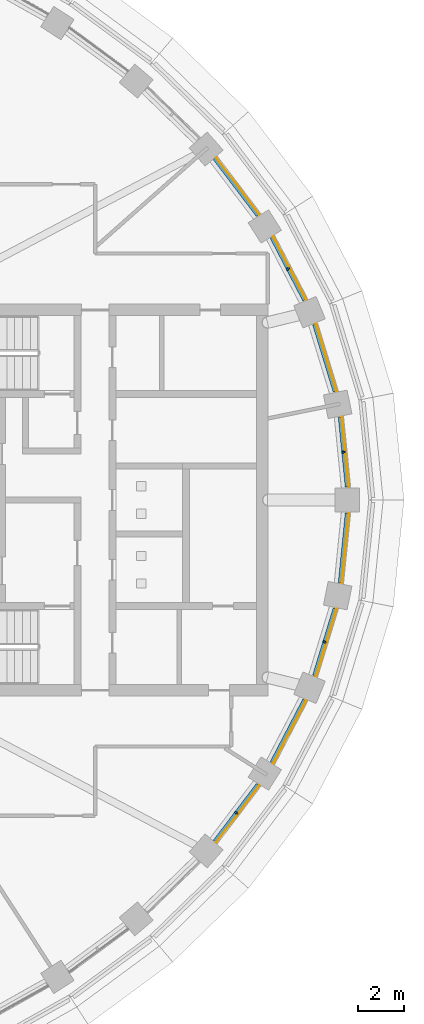
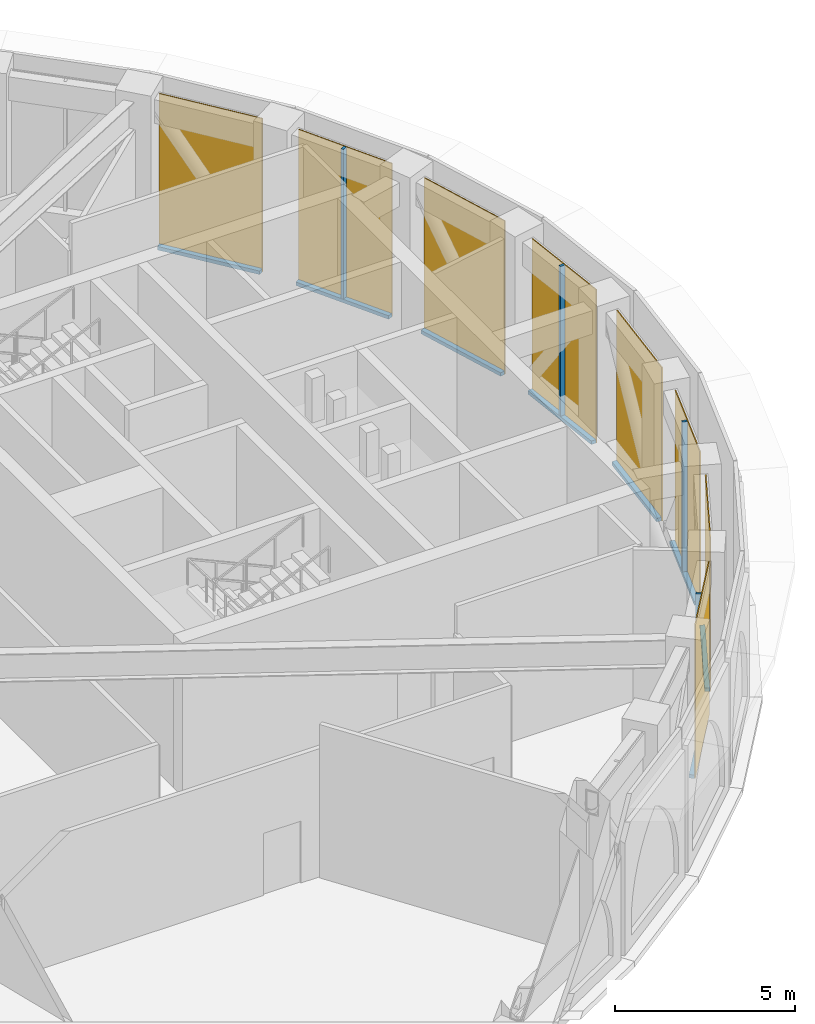
# One storey, part 17 of 23: 12 members, 8 curtain walls.
"""IFC4 building model written with IfcOpenShell, lengths in metres."""

from ifc_helpers import new_model, si_unit, direction, frame, origin, origin_2d, place, context, subcontext, project, spatial, polyline, rectangle, outline, extrude, material, layer, layer_set, material_profile, profile_set, type_object, element, aggregate, save


model = new_model("IFC4")

# Units and contexts
model_context = context("Model", 3, precision=1e-05, world=origin(), true_north=direction((0.0, 1.0)))
body_context = subcontext(model_context, "Body", "Model", "MODEL_VIEW")
ifc_project = project(units=[si_unit("LENGTHUNIT", "METRE"), si_unit("AREAUNIT", "SQUARE_METRE"), si_unit("VOLUMEUNIT", "CUBIC_METRE"), si_unit("PLANEANGLEUNIT", "RADIAN"), si_unit("MASSUNIT", "GRAM", prefix="KILO")], contexts=[model_context])

# Member
ifc_material_1 = material(Name="Aluminium 6063-T6 black anodised", Category="aluminium")
ifc_material_profile = material_profile(ifc_material_1, rectangle(XDim=0.14990234375, YDim=0.080078125, at=origin_2d()), Name="150x80")
ifc_profile_set = profile_set([ifc_material_profile], Name="Aluminium 6063-T6 black anodised")
member_type_1 = type_object("IfcMemberType", Name="ENV-MULLION-B-150", PredefinedType="MULLION", material=ifc_profile_set)
site_placement = place(None, origin())
building_placement = place(site_placement, origin())
storey_placement = place(building_placement, frame((0.0, 0.0, 285.5)))
member_1_placement = place(storey_placement, frame((32.37353515625, 10.029541015625, 0.1201171875), z_axis=(0.0, 0.0, 1.0), x_axis=(-0.88673501754, -0.462278064231, 0.0)))
member_1 = element("IfcMember", 1, at=member_1_placement, type_object=member_type_1, Name="Mullion B chord 03", PredefinedType="MULLION", context=body_context, shape_type="SweptSolid", body=[
    extrude(rectangle(XDim=0.14990234375, YDim=0.080078125, at=origin_2d()), origin(), (0.0, 0.0, 1.0), 5.079833984375),
])

member_2_placement = place(storey_placement, frame((30.12646484375, -13.576171875, 0.1201171875), z_axis=(0.0, 0.0, 1.0), x_axis=(-0.796969018776, 0.604020184358, 0.0)))
member_2 = element("IfcMember", 2, at=member_2_placement, type_object=member_type_1, Name="Mullion B chord 43", PredefinedType="MULLION", context=body_context, shape_type="SweptSolid", body=[
    extrude(rectangle(XDim=0.14990234375, YDim=0.080078125, at=origin_2d()), origin(), (0.0, 0.0, 1.0), 5.079833984375),
])

member_3_placement = place(storey_placement, frame((33.957275390625, -6.162109375, 0.1201171875), z_axis=(0.0, 0.0, 1.0), x_axis=(-0.95636637957, 0.292170066961, 0.0)))
member_3 = element("IfcMember", 3, at=member_3_placement, type_object=member_type_1, Name="Mullion B chord 45", PredefinedType="MULLION", context=body_context, shape_type="SweptSolid", body=[
    extrude(rectangle(XDim=0.14990234375, YDim=0.080078125, at=origin_2d()), origin(), (0.0, 0.0, 1.0), 5.079833984375),
])

member_4_placement = place(storey_placement, frame((34.778564453125, 2.07958984375, 0.1201171875), z_axis=(0.0, 0.0, 1.0), x_axis=(-0.994969504864, -0.100178263068, 0.0)))
member_4 = element("IfcMember", 4, at=member_4_placement, type_object=member_type_1, Name="Mullion B chord 01", PredefinedType="MULLION", context=body_context, shape_type="SweptSolid", body=[
    extrude(rectangle(XDim=0.14990234375, YDim=0.080078125, at=origin_2d()), origin(), (0.0, 0.0, 1.0), 5.079833984375),
])

ifc_material_2 = material(Name="Aluminium 6063-T6 black anodised", Category="aluminium")
member_type_2 = type_object("IfcMemberType", Name="ENV-TRANSOM-B", PredefinedType="USERDEFINED", material=ifc_material_2)
member_5_placement = place(storey_placement, origin())
member_5 = element("IfcMember", 5, at=member_5_placement, type_object=member_type_2, Name="Transom B radial 02-03", ObjectType="TRANSOM", PredefinedType="USERDEFINED", context=body_context, shape_type="SweptSolid", body=[
    extrude(outline(polyline([(34.475341796875, 4.722900390625), (33.581787109375, 7.648193359375), (33.4423828125, 7.591064453125), (34.32763671875, 4.693115234375), (34.475341796875, 4.722900390625)])), origin(), (0.0, 0.0, 1.0), 0.1201171875),
])

member_6_placement = place(storey_placement, origin())
member_6 = element("IfcMember", 6, at=member_6_placement, type_object=member_type_2, Name="Transom B radial 03-04", ObjectType="TRANSOM", PredefinedType="USERDEFINED", context=body_context, shape_type="SweptSolid", body=[
    extrude(outline(polyline([(33.15087890625, 8.700439453125), (31.727294921875, 11.431396484375), (31.60009765625, 11.350830078125), (33.011474609375, 8.643310546875), (33.15087890625, 8.700439453125)])), origin(), (0.0, 0.0, 1.0), 0.1201171875),
])

member_7_placement = place(storey_placement, origin())
member_7 = element("IfcMember", 7, at=member_7_placement, type_object=member_type_2, Name="Transom B radial 04-05", ObjectType="TRANSOM", PredefinedType="USERDEFINED", context=body_context, shape_type="SweptSolid", body=[
    extrude(outline(polyline([(31.12255859375, 12.38623046875), (29.24755859375, 14.860107421875), (29.135009765625, 14.760498046875), (30.995361328125, 12.305908203125), (31.12255859375, 12.38623046875)])), origin(), (0.0, 0.0, 1.0), 0.1201171875),
])

member_8_placement = place(storey_placement, origin())
member_8 = element("IfcMember", 8, at=member_8_placement, type_object=member_type_2, Name="Transom B radial 43-44", ObjectType="TRANSOM", PredefinedType="USERDEFINED", context=body_context, shape_type="SweptSolid", body=[
    extrude(outline(polyline([(29.247802734375, -14.860107421875), (31.122314453125, -12.386474609375), (30.9951171875, -12.305908203125), (29.135009765625, -14.760498046875), (29.247802734375, -14.860107421875)])), origin(), (0.0, 0.0, 1.0), 0.1201171875),
])

member_9_placement = place(storey_placement, origin())
member_9 = element("IfcMember", 9, at=member_9_placement, type_object=member_type_2, Name="Transom B radial 44-45", ObjectType="TRANSOM", PredefinedType="USERDEFINED", context=body_context, shape_type="SweptSolid", body=[
    extrude(outline(polyline([(31.727294921875, -11.431396484375), (33.15087890625, -8.70068359375), (33.011474609375, -8.6435546875), (31.60009765625, -11.350830078125), (31.727294921875, -11.431396484375)])), origin(), (0.0, 0.0, 1.0), 0.1201171875),
])

member_10_placement = place(storey_placement, origin())
member_10 = element("IfcMember", 10, at=member_10_placement, type_object=member_type_2, Name="Transom B radial 45-46", ObjectType="TRANSOM", PredefinedType="USERDEFINED", context=body_context, shape_type="SweptSolid", body=[
    extrude(outline(polyline([(33.581787109375, -7.64794921875), (34.475341796875, -4.722900390625), (34.32763671875, -4.693115234375), (33.4423828125, -7.591064453125), (33.581787109375, -7.64794921875)])), origin(), (0.0, 0.0, 1.0), 0.1201171875),
])

member_11_placement = place(storey_placement, origin())
member_11 = element("IfcMember", 11, at=member_11_placement, type_object=member_type_2, Name="Transom B radial 46-01", ObjectType="TRANSOM", PredefinedType="USERDEFINED", context=body_context, shape_type="SweptSolid", body=[
    extrude(outline(polyline([(34.700439453125, -3.60302734375), (35.005615234375, -0.572021484375), (34.85498046875, -0.572021484375), (34.552734375, -3.5732421875), (34.700439453125, -3.60302734375)])), origin(), (0.0, 0.0, 1.0), 0.1201171875),
])

member_12_placement = place(storey_placement, origin())
member_12 = element("IfcMember", 12, at=member_12_placement, type_object=member_type_2, Name="Transom B radial 01-02", ObjectType="TRANSOM", PredefinedType="USERDEFINED", context=body_context, shape_type="SweptSolid", body=[
    extrude(outline(polyline([(35.005615234375, 0.572021484375), (34.700439453125, 3.60302734375), (34.552734375, 3.573486328125), (34.85498046875, 0.572021484375), (35.005615234375, 0.572021484375)])), origin(), (0.0, 0.0, 1.0), 0.1201171875),
])

# Site, building, storey
site = spatial("IfcSite", under=ifc_project, at=site_placement, CompositionType="ELEMENT")
building = spatial("IfcBuilding", under=site, at=building_placement, Name="Noorbagh Ring Tower", CompositionType="ELEMENT")
storey = spatial("IfcBuildingStorey", under=building, at=storey_placement, Name="L61", CompositionType="ELEMENT", Elevation=285.5)

# Curtain wall
ifc_material_3 = material(Name="Glass dark tinted laminated", Category="glass")
ifc_layer = layer(ifc_material_3, 0.031982421875)
ifc_layer_set = layer_set([ifc_layer], Name="Glass dark tinted laminated")
curtain_wall_type = type_object("IfcCurtainWallType", Name="ENV-CW-B", PredefinedType="NOTDEFINED", material=ifc_layer_set)
curtain_wall_1_placement = place(storey_placement, origin())
curtain_wall_1 = element("IfcCurtainWall", 13, at=curtain_wall_1_placement, inside=storey, type_object=curtain_wall_type, Name="Curtain wall B R02", PredefinedType="NOTDEFINED", context=body_context, shape_type="SweptSolid", body=[
    extrude(outline(polyline([(34.5068359375, 4.729248046875), (33.611328125, 7.660400390625), (33.581787109375, 7.648193359375), (34.475341796875, 4.722900390625), (34.5068359375, 4.729248046875)])), origin(), (0.0, 0.0, 1.0), 5.199951171875),
])

aggregate(curtain_wall_1, [member_5])

curtain_wall_2_placement = place(storey_placement, origin())
curtain_wall_2 = element("IfcCurtainWall", 14, at=curtain_wall_2_placement, inside=storey, type_object=curtain_wall_type, Name="Curtain wall B R03", PredefinedType="NOTDEFINED", context=body_context, shape_type="SweptSolid", body=[
    extrude(outline(polyline([(33.1806640625, 8.712646484375), (31.75439453125, 11.448486328125), (31.727294921875, 11.431396484375), (33.15087890625, 8.700439453125), (33.1806640625, 8.712646484375)])), origin(), (0.0, 0.0, 1.0), 5.199951171875),
])

aggregate(curtain_wall_2, [member_1, member_6])

curtain_wall_3_placement = place(storey_placement, origin())
curtain_wall_3 = element("IfcCurtainWall", 15, at=curtain_wall_3_placement, inside=storey, type_object=curtain_wall_type, Name="Curtain wall B R04", PredefinedType="NOTDEFINED", context=body_context, shape_type="SweptSolid", body=[
    extrude(outline(polyline([(31.149658203125, 12.403564453125), (29.271484375, 14.88134765625), (29.24755859375, 14.860107421875), (31.12255859375, 12.38623046875), (31.149658203125, 12.403564453125)])), origin(), (0.0, 0.0, 1.0), 5.199951171875),
])

aggregate(curtain_wall_3, [member_7])

curtain_wall_4_placement = place(storey_placement, origin())
curtain_wall_4 = element("IfcCurtainWall", 16, at=curtain_wall_4_placement, inside=storey, type_object=curtain_wall_type, Name="Curtain wall B R43", PredefinedType="NOTDEFINED", context=body_context, shape_type="SweptSolid", body=[
    extrude(outline(polyline([(29.271728515625, -14.88134765625), (31.1494140625, -12.403564453125), (31.122314453125, -12.386474609375), (29.247802734375, -14.860107421875), (29.271728515625, -14.88134765625)])), origin(), (0.0, 0.0, 1.0), 5.199951171875),
])

aggregate(curtain_wall_4, [member_2, member_8])

curtain_wall_5_placement = place(storey_placement, origin())
curtain_wall_5 = element("IfcCurtainWall", 17, at=curtain_wall_5_placement, inside=storey, type_object=curtain_wall_type, Name="Curtain wall B R44", PredefinedType="NOTDEFINED", context=body_context, shape_type="SweptSolid", body=[
    extrude(outline(polyline([(31.75439453125, -11.448486328125), (33.1806640625, -8.712890625), (33.15087890625, -8.70068359375), (31.727294921875, -11.431396484375), (31.75439453125, -11.448486328125)])), origin(), (0.0, 0.0, 1.0), 5.199951171875),
])

aggregate(curtain_wall_5, [member_9])

curtain_wall_6_placement = place(storey_placement, origin())
curtain_wall_6 = element("IfcCurtainWall", 18, at=curtain_wall_6_placement, inside=storey, type_object=curtain_wall_type, Name="Curtain wall B R45", PredefinedType="NOTDEFINED", context=body_context, shape_type="SweptSolid", body=[
    extrude(outline(polyline([(33.611572265625, -7.66015625), (34.5068359375, -4.729248046875), (34.475341796875, -4.722900390625), (33.581787109375, -7.64794921875), (33.611572265625, -7.66015625)])), origin(), (0.0, 0.0, 1.0), 5.199951171875),
])

aggregate(curtain_wall_6, [member_3, member_10])

curtain_wall_7_placement = place(storey_placement, origin())
curtain_wall_7 = element("IfcCurtainWall", 19, at=curtain_wall_7_placement, inside=storey, type_object=curtain_wall_type, Name="Curtain wall B R46", PredefinedType="NOTDEFINED", context=body_context, shape_type="SweptSolid", body=[
    extrude(outline(polyline([(34.73193359375, -3.609375), (35.037841796875, -0.572021484375), (35.005615234375, -0.572021484375), (34.700439453125, -3.60302734375), (34.73193359375, -3.609375)])), origin(), (0.0, 0.0, 1.0), 5.199951171875),
])

aggregate(curtain_wall_7, [member_11])

curtain_wall_8_placement = place(storey_placement, origin())
curtain_wall_8 = element("IfcCurtainWall", 20, at=curtain_wall_8_placement, inside=storey, type_object=curtain_wall_type, Name="Curtain wall B R01", PredefinedType="NOTDEFINED", context=body_context, shape_type="SweptSolid", body=[
    extrude(outline(polyline([(35.037841796875, 0.572021484375), (34.73193359375, 3.609375), (34.700439453125, 3.60302734375), (35.005615234375, 0.572021484375), (35.037841796875, 0.572021484375)])), origin(), (0.0, 0.0, 1.0), 5.199951171875),
])

aggregate(curtain_wall_8, [member_4, member_12])

save(model, "model.ifc")
